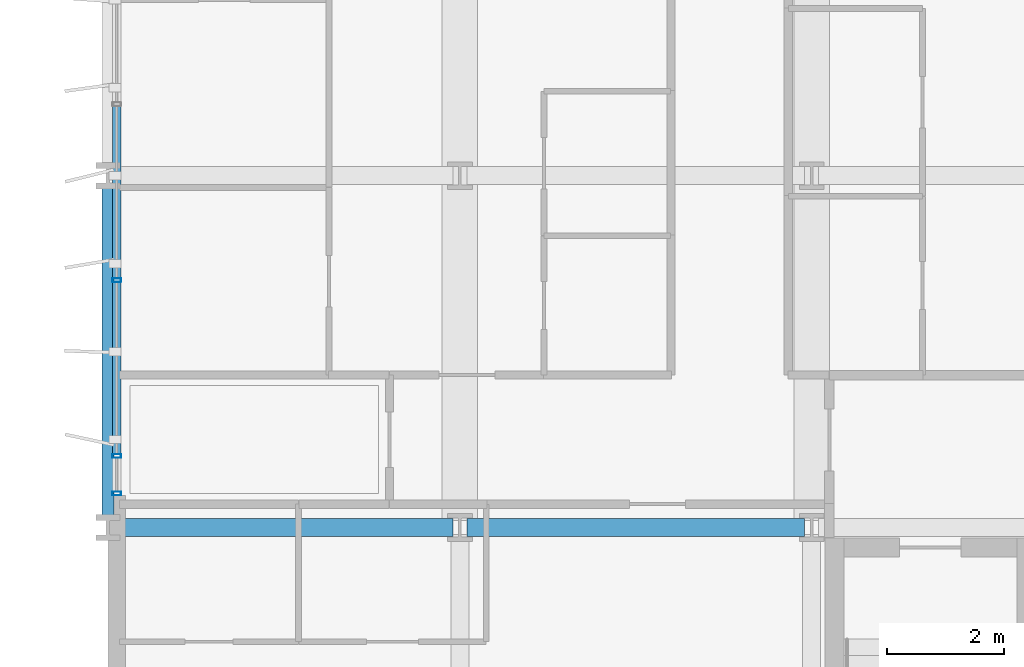
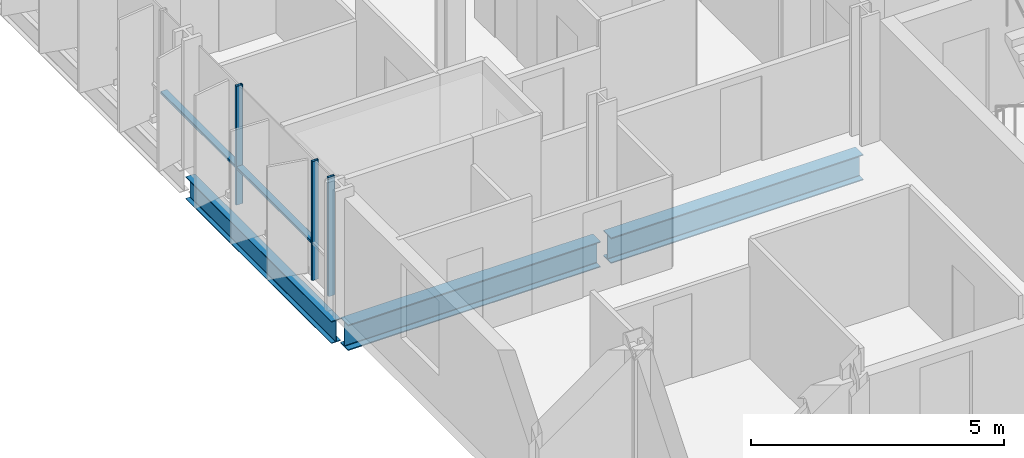
# One storey, part 2 of 38: 5 members, 3 beams, 1 element without a shape of its own.
"""IFC4 building model written with IfcOpenShell, lengths in metres."""

from ifc_helpers import new_model, si_unit, direction, frame, origin, origin_2d, place, context, subcontext, project, spatial, hollow_rectangle, i_section, extrude, material, layer, layer_set, material_profile, profile_set, type_object, element, aggregate, save


model = new_model("IFC4")

# Units and contexts
model_context = context("Model", 3, precision=1e-05, world=origin(), true_north=direction((0.0, 1.0)))
body_context = subcontext(model_context, "Body", "Model", "MODEL_VIEW")
ifc_project = project(units=[si_unit("LENGTHUNIT", "METRE"), si_unit("AREAUNIT", "SQUARE_METRE"), si_unit("VOLUMEUNIT", "CUBIC_METRE"), si_unit("PLANEANGLEUNIT", "RADIAN"), si_unit("MASSUNIT", "GRAM", prefix="KILO")], contexts=[model_context])

# Site, building, storey
site_placement = place(None, origin())
site = spatial("IfcSite", under=ifc_project, at=site_placement, CompositionType="ELEMENT")
building_placement = place(site_placement, origin())
building = spatial("IfcBuilding", under=site, at=building_placement, Name="Brevholm Reach", CompositionType="ELEMENT")
storey_placement = place(building_placement, frame((0.0, 0.0, 28.0)))
storey = spatial("IfcBuildingStorey", under=building, at=storey_placement, Name="L06", CompositionType="ELEMENT", Elevation=28.0)

# Beams
ifc_material_1 = material(Name="Structural Steel S355J2", Category="steel")
ifc_material_profile_1 = material_profile(ifc_material_1, i_section(OverallWidth=0.210693359375, OverallDepth=0.53955078125, WebThickness=0.01171875, FlangeThickness=0.018798828125, FilletRadius=0.0126953125, at=origin_2d()), Name="UKB 533x210x109")
ifc_profile_set_1 = profile_set([ifc_material_profile_1], Name="Structural Steel S355J2")
beam_type_1 = type_object("IfcBeamType", Name="BM-SP539", PredefinedType="SPANDREL", material=ifc_profile_set_1)
beam_placement = place(storey_placement, frame((0.0, 10.1201171875, -0.539794921875), z_axis=(0.0, 1.0, 0.0), x_axis=(-1.0, 0.0, 0.0)))
element("IfcBeam", 1, at=beam_placement, inside=storey, type_object=beam_type_1, Name="L06 SP-01B Framing Beam", PredefinedType="SPANDREL", context=body_context, shape_type="SweptSolid", body=[
    extrude(i_section(OverallWidth=0.210693359375, OverallDepth=0.53955078125, WebThickness=0.01171875, FlangeThickness=0.018798828125, FilletRadius=0.0126953125, at=origin_2d()), origin(), (0.0, 0.0, 1.0), 5.759765625),
])
ifc_material_2 = material(Name="Structural Steel S355J2", Category="steel")
ifc_material_profile_2 = material_profile(ifc_material_2, i_section(OverallWidth=0.30712890625, OverallDepth=0.6201171875, WebThickness=0.01416015625, FlangeThickness=0.023681640625, FilletRadius=0.0166015625, at=origin_2d()), Name="UKB 610x305x179")
ifc_profile_set_2 = profile_set([ifc_material_profile_2], Name="Structural Steel S355J2")
beam_type_2 = type_object("IfcBeamType", Name="BM-UKB610H", PredefinedType="USERDEFINED", material=ifc_profile_set_2)
for number, where, z_axis, x_axis, name in (
    (2, (0.1201171875, 10.0, -0.580078125), (1.0, 0.0, 0.0), (0.0, 1.0, 0.0), "L06 G-06 Framing Beam"),
    (3, (6.1201171875, 10.0, -0.580078125), (1.0, 0.0, 0.0), (0.0, 1.0, 0.0), "L06 G-06 Framing Beam"),
):
    element("IfcBeam", number, at=place(storey_placement, frame(where, z_axis=z_axis, x_axis=x_axis)), inside=storey, type_object=beam_type_2, Name=name, ObjectType="GIRDER", PredefinedType="USERDEFINED", context=body_context, shape_type="SweptSolid", body=[
        extrude(i_section(OverallWidth=0.30712890625, OverallDepth=0.6201171875, WebThickness=0.01416015625, FlangeThickness=0.023681640625, FilletRadius=0.0166015625, at=origin_2d()), origin(), (0.0, 0.0, 1.0), 5.759765625),
    ])

# Curtain wall, members
ifc_material_3 = material(Name="Dark Anodised Aluminium 6063-T6 and Solar-Control Glass", Category="aluminium")
ifc_layer = layer(ifc_material_3, 0.14990234375)
ifc_layer_set = layer_set([ifc_layer], Name="Dark Anodised Aluminium 6063-T6 and Solar-Control Glass")
curtain_wall_type = type_object("IfcCurtainWallType", Name="CW-01", PredefinedType="NOTDEFINED", material=ifc_layer_set)
curtain_wall_placement = place(storey_placement, origin())
curtain_wall = element("IfcCurtainWall", 4, at=curtain_wall_placement, inside=storey, type_object=curtain_wall_type, Name="L06 Curtain Wall CW-01", PredefinedType="NOTDEFINED")
ifc_material_4 = material(Name="Dark Anodised Aluminium 6063-T6", Category="aluminium")
ifc_material_profile_3 = material_profile(ifc_material_4, hollow_rectangle(XDim=0.06494140625, YDim=0.14990234375, WallThickness=0.0048828125, InnerFilletRadius=0.0048828125, OuterFilletRadius=0.010009765625, at=origin_2d()), Name="RHS 150x65x5")
ifc_profile_set_3 = profile_set([ifc_material_profile_3], Name="Dark Anodised Aluminium 6063-T6")
member_type_1 = type_object("IfcMemberType", Name="CWM-150", PredefinedType="MULLION", material=ifc_profile_set_3)
member_1_placement = place(storey_placement, frame((0.14990234375, 14.219970703125, 0.0), z_axis=(0.0, 0.0, 1.0), x_axis=(0.0, -1.0, 0.0)))
member_1 = element("IfcMember", 5, at=member_1_placement, type_object=member_type_1, Name="CM-150 Mullion 4", PredefinedType="MULLION", context=body_context, shape_type="SweptSolid", body=[
    extrude(hollow_rectangle(XDim=0.06494140625, YDim=0.14990234375, WallThickness=0.0048828125, InnerFilletRadius=0.0048828125, OuterFilletRadius=0.010009765625, at=origin_2d()), origin(), (0.0, 0.0, 1.0), 2.8701171875),
])
member_2_placement = place(storey_placement, frame((0.14990234375, 11.219970703125, 0.0), z_axis=(0.0, 0.0, 1.0), x_axis=(0.0, -1.0, 0.0)))
member_2 = element("IfcMember", 6, at=member_2_placement, type_object=member_type_1, Name="CM-150 Mullion 5", PredefinedType="MULLION", context=body_context, shape_type="SweptSolid", body=[
    extrude(hollow_rectangle(XDim=0.06494140625, YDim=0.14990234375, WallThickness=0.0048828125, InnerFilletRadius=0.0048828125, OuterFilletRadius=0.010009765625, at=origin_2d()), origin(), (0.0, 0.0, 1.0), 2.8701171875),
])
member_3_placement = place(storey_placement, frame((0.14990234375, 10.58251953125, 0.0), z_axis=(0.0, 0.0, 1.0), x_axis=(0.0, -1.0, 0.0)))
member_3 = element("IfcMember", 7, at=member_3_placement, type_object=member_type_1, Name="CM-150 Mullion 6", PredefinedType="MULLION", context=body_context, shape_type="SweptSolid", body=[
    extrude(hollow_rectangle(XDim=0.06494140625, YDim=0.14990234375, WallThickness=0.0048828125, InnerFilletRadius=0.0048828125, OuterFilletRadius=0.010009765625, at=origin_2d()), origin(), (0.0, 0.0, 1.0), 2.8701171875),
])
ifc_material_5 = material(Name="Dark Anodised Aluminium 6063-T6", Category="aluminium")
ifc_material_profile_4 = material_profile(ifc_material_5, hollow_rectangle(XDim=0.06494140625, YDim=0.14990234375, WallThickness=0.0048828125, InnerFilletRadius=0.0048828125, OuterFilletRadius=0.010009765625, at=origin_2d()), Name="RHS 150x65x5")
ifc_profile_set_4 = profile_set([ifc_material_profile_4], Name="Dark Anodised Aluminium 6063-T6")
member_type_2 = type_object("IfcMemberType", Name="CWT-150", PredefinedType="NOTDEFINED", material=ifc_profile_set_4)
member_4_placement = place(storey_placement, frame((0.14990234375, 17.1875, 0.89990234375), z_axis=(0.0, -1.0, 0.0), x_axis=(0.0, 0.0, 1.0)))
member_4 = element("IfcMember", 8, at=member_4_placement, type_object=member_type_2, Name="CT-150 Transom 3.1", ObjectType="TRANSOM", PredefinedType="USERDEFINED", context=body_context, shape_type="SweptSolid", body=[
    extrude(hollow_rectangle(XDim=0.06494140625, YDim=0.14990234375, WallThickness=0.0048828125, InnerFilletRadius=0.0048828125, OuterFilletRadius=0.010009765625, at=origin_2d()), origin(), (0.0, 0.0, 1.0), 2.93505859375),
])
member_5_placement = place(storey_placement, frame((0.14990234375, 14.1875, 0.89990234375), z_axis=(0.0, -1.0, 0.0), x_axis=(0.0, 0.0, 1.0)))
member_5 = element("IfcMember", 9, at=member_5_placement, type_object=member_type_2, Name="CT-150 Transom 4.1", ObjectType="TRANSOM", PredefinedType="USERDEFINED", context=body_context, shape_type="SweptSolid", body=[
    extrude(hollow_rectangle(XDim=0.06494140625, YDim=0.14990234375, WallThickness=0.0048828125, InnerFilletRadius=0.0048828125, OuterFilletRadius=0.010009765625, at=origin_2d()), origin(), (0.0, 0.0, 1.0), 2.93505859375),
])
aggregate(curtain_wall, [member_1, member_2, member_3, member_4, member_5])

save(model, "model.ifc")
